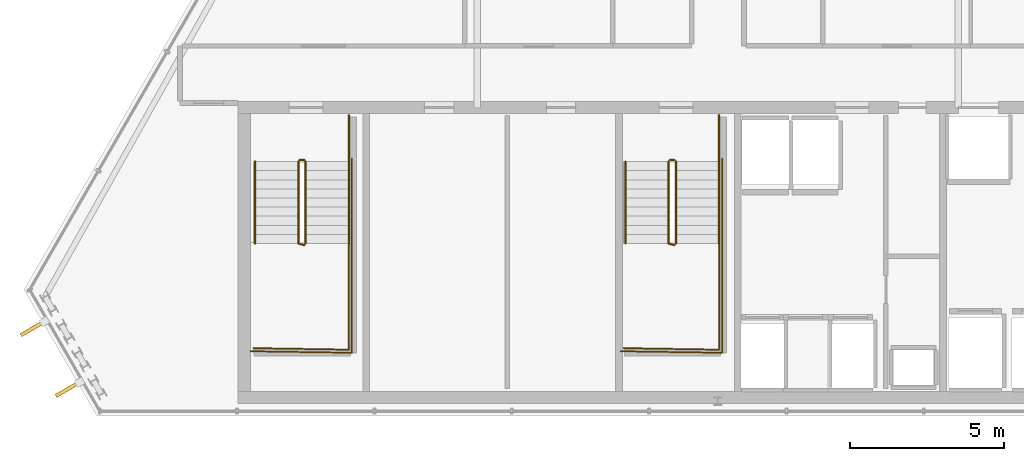
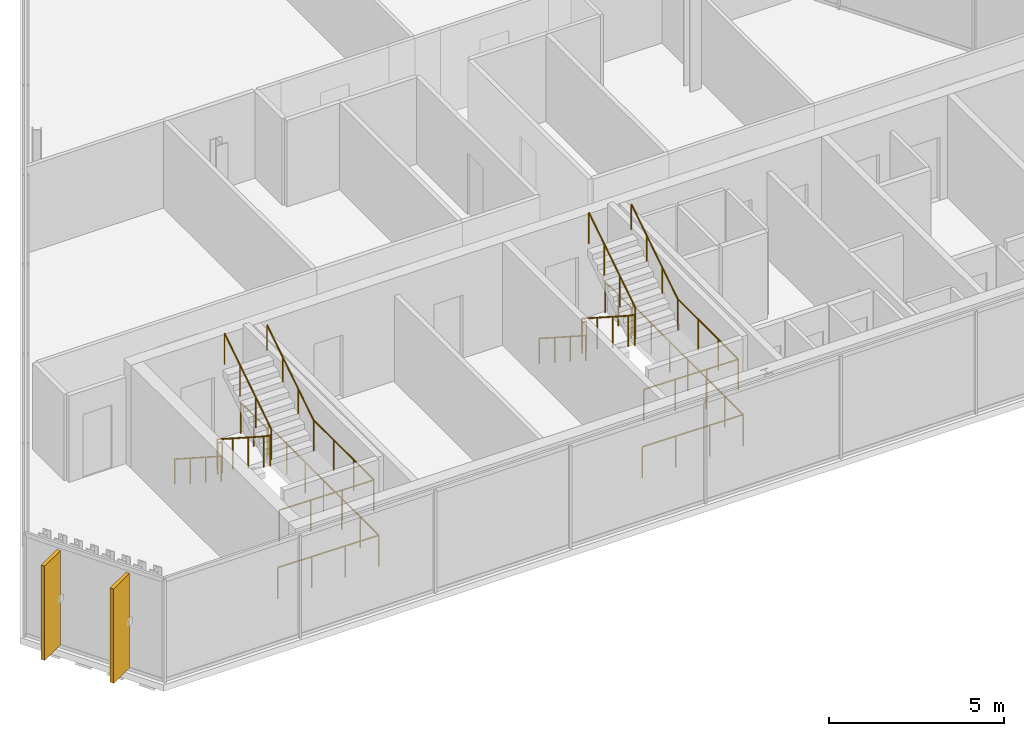
# One storey, part 30 of 32: 16 railings, 2 shading devices.
"""IFC4 building model written with IfcOpenShell, lengths in metres."""

from ifc_helpers import new_model, si_unit, direction, frame, origin, origin_2d, place, context, subcontext, project, spatial, rectangle, circle, extrude, material, layer, layer_set, type_object, element, save


model = new_model("IFC4")

# Units and contexts
model_context = context("Model", 3, precision=1e-05, world=origin(), true_north=direction((0.0, 1.0)))
body_context = subcontext(model_context, "Body", "Model", "MODEL_VIEW")
ifc_project = project(units=[si_unit("LENGTHUNIT", "METRE"), si_unit("AREAUNIT", "SQUARE_METRE"), si_unit("VOLUMEUNIT", "CUBIC_METRE"), si_unit("PLANEANGLEUNIT", "RADIAN"), si_unit("MASSUNIT", "GRAM", prefix="KILO")], contexts=[model_context])

# Site, building, storey
site_placement = place(None, origin())
site = spatial("IfcSite", under=ifc_project, at=site_placement, CompositionType="ELEMENT")
building_placement = place(site_placement, origin())
building = spatial("IfcBuilding", under=site, at=building_placement, Name="Ndaravel Arena Tower", CompositionType="ELEMENT")
storey_placement = place(building_placement, frame((0.0, 0.0, 287.10009765625)))
storey = spatial("IfcBuildingStorey", under=building, at=storey_placement, Name="L70", CompositionType="ELEMENT", Elevation=287.10009765625)

# Railings
ifc_material_1 = material(Name="Steel S355", Category="steel")
ifc_layer_1 = layer(ifc_material_1, 0.06005859375)
ifc_layer_set_1 = layer_set([ifc_layer_1], Name="Steel S355")
railing_type_1 = type_object("IfcRailingType", Name="RAIL-STAIR-GD1100", PredefinedType="GUARDRAIL", material=ifc_layer_set_1)
railing_1_placement = place(storey_placement, frame((28.39990234375, 13.25, 0.18994140625)))
element("IfcRailing", 1, at=railing_1_placement, inside=storey, type_object=railing_type_1, Name="L70 ST-1 stair guard 1", PredefinedType="GUARDRAIL", context=body_context, shape_type="SweptSolid", body=[
    extrude(circle(Radius=0.02392578125, at=origin_2d()), frame((0.0, 0.0, 1.076171875), z_axis=(0.0, -0.840723540582, 0.54146461409), x_axis=(1.0, 0.0, 0.0)), (0.0, 0.0, 1.0), 3.157958984375),
    extrude(circle(Radius=0.02392578125, at=origin_2d()), frame((0.0, -2.655029296875, 2.7861328125), z_axis=(0.967074537263, -0.25449329928, 0.0), x_axis=(0.25449329928, 0.967074537263, 0.0)), (0.0, 0.0, 1.0), 0.19677734375),
    extrude(circle(Radius=0.02099609375, at=origin_2d()), origin(), (0.0, 0.0, 1.0), 1.052001953125),
    extrude(circle(Radius=0.02099609375, at=origin_2d()), frame((0.0, -0.885009765625, 0.570068359375)), (0.0, 0.0, 1.0), 1.052001953125),
    extrude(circle(Radius=0.02099609375, at=origin_2d()), frame((0.0, -1.77001953125, 1.139892578125)), (0.0, 0.0, 1.0), 1.052001953125),
    extrude(circle(Radius=0.02099609375, at=origin_2d()), frame((0.0, -2.655029296875, 1.7099609375)), (0.0, 0.0, 1.0), 1.052001953125),
    extrude(circle(Radius=0.02099609375, at=origin_2d()), frame((0.190185546875, -2.705078125, 1.7099609375)), (0.0, 0.0, 1.0), 1.052001953125),
])
railing_2_placement = place(storey_placement, frame((30.0400390625, 10.594970703125, 1.89990234375)))
element("IfcRailing", 2, at=railing_2_placement, inside=storey, type_object=railing_type_1, Name="L70 ST-1 stair guard 2", PredefinedType="GUARDRAIL", context=body_context, shape_type="SweptSolid", body=[
    extrude(circle(Radius=0.02392578125, at=origin_2d()), frame((0.0, 0.0, 1.076171875), z_axis=(0.0, -1.0, 0.0), x_axis=(1.0, 0.0, 0.0)), (0.0, 0.0, 1.0), 3.445068359375),
    extrude(circle(Radius=0.02392578125, at=origin_2d()), frame((0.0, -3.445068359375, 1.076171875), z_axis=(-0.999868861343, 0.016194447071, 0.0), x_axis=(-0.016194447071, -0.999868861343, 0.0)), (0.0, 0.0, 1.0), 3.090576171875),
    extrude(circle(Radius=0.02099609375, at=origin_2d()), origin(), (0.0, 0.0, 1.0), 1.052001953125),
    extrude(circle(Radius=0.02099609375, at=origin_2d()), frame((0.0, -1.1484375, 0.0)), (0.0, 0.0, 1.0), 1.052001953125),
    extrude(circle(Radius=0.02099609375, at=origin_2d()), frame((0.0, -2.296630859375, 0.0)), (0.0, 0.0, 1.0), 1.052001953125),
    extrude(circle(Radius=0.02099609375, at=origin_2d()), frame((0.0, -3.445068359375, 0.0)), (0.0, 0.0, 1.0), 1.052001953125),
    extrude(circle(Radius=0.02099609375, at=origin_2d()), frame((-1.030029296875, -3.428466796875, 0.0)), (0.0, 0.0, 1.0), 1.052001953125),
    extrude(circle(Radius=0.02099609375, at=origin_2d()), frame((-2.06005859375, -3.41162109375, 0.0)), (0.0, 0.0, 1.0), 1.052001953125),
    extrude(circle(Radius=0.02099609375, at=origin_2d()), frame((-3.090087890625, -3.39501953125, 0.0)), (0.0, 0.0, 1.0), 1.052001953125),
])
railing_3_placement = place(storey_placement, frame((28.639892578125, 10.594970703125, 2.08984375)))
element("IfcRailing", 3, at=railing_3_placement, inside=storey, type_object=railing_type_1, Name="L70 ST-1 stair guard 3", PredefinedType="GUARDRAIL", context=body_context, shape_type="SweptSolid", body=[
    extrude(circle(Radius=0.02392578125, at=origin_2d()), frame((0.0, 0.0, 1.076171875), z_axis=(0.0, 0.840723540582, 0.54146461409), x_axis=(-1.0, 0.0, 0.0)), (0.0, 0.0, 1.0), 3.157958984375),
    extrude(circle(Radius=0.02099609375, at=origin_2d()), origin(), (0.0, 0.0, 1.0), 1.052001953125),
    extrude(circle(Radius=0.02099609375, at=origin_2d()), frame((0.0, 0.885009765625, 0.570068359375)), (0.0, 0.0, 1.0), 1.052001953125),
    extrude(circle(Radius=0.02099609375, at=origin_2d()), frame((0.0, 1.77001953125, 1.139892578125)), (0.0, 0.0, 1.0), 1.052001953125),
    extrude(circle(Radius=0.02099609375, at=origin_2d()), frame((0.0, 2.655029296875, 1.7099609375)), (0.0, 0.0, 1.0), 1.052001953125),
])
railing_4_placement = place(storey_placement, frame((28.449951171875, 13.300048828125, 0.0)))
element("IfcRailing", 4, at=railing_4_placement, inside=storey, type_object=railing_type_1, Name="L70 ST-1 stair guard 4", PredefinedType="GUARDRAIL", context=body_context, shape_type="SweptSolid", body=[
    extrude(circle(Radius=0.02392578125, at=origin_2d()), frame((0.0, 0.0, 1.076171875), z_axis=(1.0, 0.0, 0.0), x_axis=(0.0, 1.0, 0.0)), (0.0, 0.0, 1.0), 0.14013671875),
    extrude(circle(Radius=0.02099609375, at=origin_2d()), origin(), (0.0, 0.0, 1.0), 1.052001953125),
    extrude(circle(Radius=0.02099609375, at=origin_2d()), frame((0.14013671875, 0.0, 0.0)), (0.0, 0.0, 1.0), 1.052001953125),
])
railing_5_placement = place(storey_placement, frame((30.0400390625, 14.75, 0.0)))
element("IfcRailing", 5, at=railing_5_placement, inside=storey, type_object=railing_type_1, Name="L70 ST-1 stair guard 5", PredefinedType="GUARDRAIL", context=body_context, shape_type="SweptSolid", body=[
    extrude(circle(Radius=0.02392578125, at=origin_2d()), frame((0.0, 0.0, 1.076171875), z_axis=(0.0, -1.0, 0.0), x_axis=(1.0, 0.0, 0.0)), (0.0, 0.0, 1.0), 1.5),
    extrude(circle(Radius=0.02099609375, at=origin_2d()), origin(), (0.0, 0.0, 1.0), 1.052001953125),
    extrude(circle(Radius=0.02099609375, at=origin_2d()), frame((0.0, -0.75, 0.0)), (0.0, 0.0, 1.0), 1.052001953125),
    extrude(circle(Radius=0.02099609375, at=origin_2d()), frame((0.0, -1.5, 0.0)), (0.0, 0.0, 1.0), 1.052001953125),
])
railing_6_placement = place(storey_placement, frame((30.139892578125, 13.35009765625, 0.0)))
element("IfcRailing", 6, at=railing_6_placement, inside=storey, type_object=railing_type_1, Name="L70 ST-1 stair guard 6", PredefinedType="GUARDRAIL", context=body_context, shape_type="SweptSolid", body=[
    extrude(circle(Radius=0.02392578125, at=origin_2d()), frame((0.0, 0.0, 1.076171875), z_axis=(0.0, -1.0, 0.0), x_axis=(1.0, 0.0, 0.0)), (0.0, 0.0, 1.0), 6.300048828125),
    extrude(circle(Radius=0.02392578125, at=origin_2d()), frame((0.0, -6.300048828125, 1.076171875), z_axis=(-0.999884296952, 0.015211597839, 0.0), x_axis=(-0.015211597839, -0.999884296952, 0.0)), (0.0, 0.0, 1.0), 3.290283203125),
    extrude(circle(Radius=0.02099609375, at=origin_2d()), origin(), (0.0, 0.0, 1.0), 1.052001953125),
    extrude(circle(Radius=0.02099609375, at=origin_2d()), frame((0.0, -1.050048828125, 0.0)), (0.0, 0.0, 1.0), 1.052001953125),
    extrude(circle(Radius=0.02099609375, at=origin_2d()), frame((0.0, -2.10009765625, 0.0)), (0.0, 0.0, 1.0), 1.052001953125),
    extrude(circle(Radius=0.02099609375, at=origin_2d()), frame((0.0, -3.14990234375, 0.0)), (0.0, 0.0, 1.0), 1.052001953125),
    extrude(circle(Radius=0.02099609375, at=origin_2d()), frame((0.0, -4.199951171875, 0.0)), (0.0, 0.0, 1.0), 1.052001953125),
    extrude(circle(Radius=0.02099609375, at=origin_2d()), frame((0.0, -5.25, 0.0)), (0.0, 0.0, 1.0), 1.052001953125),
    extrude(circle(Radius=0.02099609375, at=origin_2d()), frame((0.0, -6.300048828125, 0.0)), (0.0, 0.0, 1.0), 1.052001953125),
    extrude(circle(Radius=0.02099609375, at=origin_2d()), frame((-1.0966796875, -6.283447265625, 0.0)), (0.0, 0.0, 1.0), 1.052001953125),
    extrude(circle(Radius=0.02099609375, at=origin_2d()), frame((-2.193115234375, -6.2666015625, 0.0)), (0.0, 0.0, 1.0), 1.052001953125),
    extrude(circle(Radius=0.02099609375, at=origin_2d()), frame((-3.289794921875, -6.25, 0.0)), (0.0, 0.0, 1.0), 1.052001953125),
])
railing_7_placement = place(storey_placement, frame((40.39990234375, 13.25, 0.18994140625)))
element("IfcRailing", 7, at=railing_7_placement, inside=storey, type_object=railing_type_1, Name="L70 ST-2 stair guard 1", PredefinedType="GUARDRAIL", context=body_context, shape_type="SweptSolid", body=[
    extrude(circle(Radius=0.02392578125, at=origin_2d()), frame((0.0, 0.0, 1.076171875), z_axis=(0.0, -0.840723540582, 0.54146461409), x_axis=(1.0, 0.0, 0.0)), (0.0, 0.0, 1.0), 3.157958984375),
    extrude(circle(Radius=0.02392578125, at=origin_2d()), frame((0.0, -2.655029296875, 2.7861328125), z_axis=(0.967074537263, -0.25449329928, 0.0), x_axis=(0.25449329928, 0.967074537263, 0.0)), (0.0, 0.0, 1.0), 0.19677734375),
    extrude(circle(Radius=0.02099609375, at=origin_2d()), origin(), (0.0, 0.0, 1.0), 1.052001953125),
    extrude(circle(Radius=0.02099609375, at=origin_2d()), frame((0.0, -0.885009765625, 0.570068359375)), (0.0, 0.0, 1.0), 1.052001953125),
    extrude(circle(Radius=0.02099609375, at=origin_2d()), frame((0.0, -1.77001953125, 1.139892578125)), (0.0, 0.0, 1.0), 1.052001953125),
    extrude(circle(Radius=0.02099609375, at=origin_2d()), frame((0.0, -2.655029296875, 1.7099609375)), (0.0, 0.0, 1.0), 1.052001953125),
    extrude(circle(Radius=0.02099609375, at=origin_2d()), frame((0.190185546875, -2.705078125, 1.7099609375)), (0.0, 0.0, 1.0), 1.052001953125),
])
railing_8_placement = place(storey_placement, frame((42.0400390625, 10.594970703125, 1.89990234375)))
element("IfcRailing", 8, at=railing_8_placement, inside=storey, type_object=railing_type_1, Name="L70 ST-2 stair guard 2", PredefinedType="GUARDRAIL", context=body_context, shape_type="SweptSolid", body=[
    extrude(circle(Radius=0.02392578125, at=origin_2d()), frame((0.0, 0.0, 1.076171875), z_axis=(0.0, -1.0, 0.0), x_axis=(1.0, 0.0, 0.0)), (0.0, 0.0, 1.0), 3.445068359375),
    extrude(circle(Radius=0.02392578125, at=origin_2d()), frame((0.0, -3.445068359375, 1.076171875), z_axis=(-0.999868861343, 0.016194447071, 0.0), x_axis=(-0.016194447071, -0.999868861343, 0.0)), (0.0, 0.0, 1.0), 3.090576171875),
    extrude(circle(Radius=0.02099609375, at=origin_2d()), origin(), (0.0, 0.0, 1.0), 1.052001953125),
    extrude(circle(Radius=0.02099609375, at=origin_2d()), frame((0.0, -1.1484375, 0.0)), (0.0, 0.0, 1.0), 1.052001953125),
    extrude(circle(Radius=0.02099609375, at=origin_2d()), frame((0.0, -2.296630859375, 0.0)), (0.0, 0.0, 1.0), 1.052001953125),
    extrude(circle(Radius=0.02099609375, at=origin_2d()), frame((0.0, -3.445068359375, 0.0)), (0.0, 0.0, 1.0), 1.052001953125),
    extrude(circle(Radius=0.02099609375, at=origin_2d()), frame((-1.030029296875, -3.428466796875, 0.0)), (0.0, 0.0, 1.0), 1.052001953125),
    extrude(circle(Radius=0.02099609375, at=origin_2d()), frame((-2.06005859375, -3.41162109375, 0.0)), (0.0, 0.0, 1.0), 1.052001953125),
    extrude(circle(Radius=0.02099609375, at=origin_2d()), frame((-3.090087890625, -3.39501953125, 0.0)), (0.0, 0.0, 1.0), 1.052001953125),
])
railing_9_placement = place(storey_placement, frame((40.639892578125, 10.594970703125, 2.08984375)))
element("IfcRailing", 9, at=railing_9_placement, inside=storey, type_object=railing_type_1, Name="L70 ST-2 stair guard 3", PredefinedType="GUARDRAIL", context=body_context, shape_type="SweptSolid", body=[
    extrude(circle(Radius=0.02392578125, at=origin_2d()), frame((0.0, 0.0, 1.076171875), z_axis=(0.0, 0.840723540582, 0.54146461409), x_axis=(-1.0, 0.0, 0.0)), (0.0, 0.0, 1.0), 3.157958984375),
    extrude(circle(Radius=0.02099609375, at=origin_2d()), origin(), (0.0, 0.0, 1.0), 1.052001953125),
    extrude(circle(Radius=0.02099609375, at=origin_2d()), frame((0.0, 0.885009765625, 0.570068359375)), (0.0, 0.0, 1.0), 1.052001953125),
    extrude(circle(Radius=0.02099609375, at=origin_2d()), frame((0.0, 1.77001953125, 1.139892578125)), (0.0, 0.0, 1.0), 1.052001953125),
    extrude(circle(Radius=0.02099609375, at=origin_2d()), frame((0.0, 2.655029296875, 1.7099609375)), (0.0, 0.0, 1.0), 1.052001953125),
])
railing_10_placement = place(storey_placement, frame((40.449951171875, 13.300048828125, 0.0)))
element("IfcRailing", 10, at=railing_10_placement, inside=storey, type_object=railing_type_1, Name="L70 ST-2 stair guard 4", PredefinedType="GUARDRAIL", context=body_context, shape_type="SweptSolid", body=[
    extrude(circle(Radius=0.02392578125, at=origin_2d()), frame((0.0, 0.0, 1.076171875), z_axis=(1.0, 0.0, 0.0), x_axis=(0.0, 1.0, 0.0)), (0.0, 0.0, 1.0), 0.14013671875),
    extrude(circle(Radius=0.02099609375, at=origin_2d()), origin(), (0.0, 0.0, 1.0), 1.052001953125),
    extrude(circle(Radius=0.02099609375, at=origin_2d()), frame((0.14013671875, 0.0, 0.0)), (0.0, 0.0, 1.0), 1.052001953125),
])
railing_11_placement = place(storey_placement, frame((42.0400390625, 14.75, 0.0)))
element("IfcRailing", 11, at=railing_11_placement, inside=storey, type_object=railing_type_1, Name="L70 ST-2 stair guard 5", PredefinedType="GUARDRAIL", context=body_context, shape_type="SweptSolid", body=[
    extrude(circle(Radius=0.02392578125, at=origin_2d()), frame((0.0, 0.0, 1.076171875), z_axis=(0.0, -1.0, 0.0), x_axis=(1.0, 0.0, 0.0)), (0.0, 0.0, 1.0), 1.5),
    extrude(circle(Radius=0.02099609375, at=origin_2d()), origin(), (0.0, 0.0, 1.0), 1.052001953125),
    extrude(circle(Radius=0.02099609375, at=origin_2d()), frame((0.0, -0.75, 0.0)), (0.0, 0.0, 1.0), 1.052001953125),
    extrude(circle(Radius=0.02099609375, at=origin_2d()), frame((0.0, -1.5, 0.0)), (0.0, 0.0, 1.0), 1.052001953125),
])
railing_12_placement = place(storey_placement, frame((42.139892578125, 13.35009765625, 0.0)))
element("IfcRailing", 12, at=railing_12_placement, inside=storey, type_object=railing_type_1, Name="L70 ST-2 stair guard 6", PredefinedType="GUARDRAIL", context=body_context, shape_type="SweptSolid", body=[
    extrude(circle(Radius=0.02392578125, at=origin_2d()), frame((0.0, 0.0, 1.076171875), z_axis=(0.0, -1.0, 0.0), x_axis=(1.0, 0.0, 0.0)), (0.0, 0.0, 1.0), 6.300048828125),
    extrude(circle(Radius=0.02392578125, at=origin_2d()), frame((0.0, -6.300048828125, 1.076171875), z_axis=(-0.999884296952, 0.015211597839, 0.0), x_axis=(-0.015211597839, -0.999884296952, 0.0)), (0.0, 0.0, 1.0), 3.290283203125),
    extrude(circle(Radius=0.02099609375, at=origin_2d()), origin(), (0.0, 0.0, 1.0), 1.052001953125),
    extrude(circle(Radius=0.02099609375, at=origin_2d()), frame((0.0, -1.050048828125, 0.0)), (0.0, 0.0, 1.0), 1.052001953125),
    extrude(circle(Radius=0.02099609375, at=origin_2d()), frame((0.0, -2.10009765625, 0.0)), (0.0, 0.0, 1.0), 1.052001953125),
    extrude(circle(Radius=0.02099609375, at=origin_2d()), frame((0.0, -3.14990234375, 0.0)), (0.0, 0.0, 1.0), 1.052001953125),
    extrude(circle(Radius=0.02099609375, at=origin_2d()), frame((0.0, -4.199951171875, 0.0)), (0.0, 0.0, 1.0), 1.052001953125),
    extrude(circle(Radius=0.02099609375, at=origin_2d()), frame((0.0, -5.25, 0.0)), (0.0, 0.0, 1.0), 1.052001953125),
    extrude(circle(Radius=0.02099609375, at=origin_2d()), frame((0.0, -6.300048828125, 0.0)), (0.0, 0.0, 1.0), 1.052001953125),
    extrude(circle(Radius=0.02099609375, at=origin_2d()), frame((-1.0966796875, -6.283447265625, 0.0)), (0.0, 0.0, 1.0), 1.052001953125),
    extrude(circle(Radius=0.02099609375, at=origin_2d()), frame((-2.193115234375, -6.2666015625, 0.0)), (0.0, 0.0, 1.0), 1.052001953125),
    extrude(circle(Radius=0.02099609375, at=origin_2d()), frame((-3.289794921875, -6.25, 0.0)), (0.0, 0.0, 1.0), 1.052001953125),
])
ifc_material_2 = material(Name="Steel S355", Category="steel")
ifc_layer_2 = layer(ifc_material_2, 0.050048828125)
ifc_layer_set_2 = layer_set([ifc_layer_2], Name="Steel S355")
railing_type_2 = type_object("IfcRailingType", Name="RAIL-STAIR-HR920", PredefinedType="HANDRAIL", material=ifc_layer_set_2)
railing_13_placement = place(storey_placement, frame((27.0, 13.25, 0.18994140625)))
element("IfcRailing", 13, at=railing_13_placement, inside=storey, type_object=railing_type_2, Name="L70 ST-1 stair handrail 1", PredefinedType="HANDRAIL", context=body_context, shape_type="SweptSolid", body=[
    extrude(circle(Radius=0.02392578125, at=origin_2d()), frame((0.0, 0.0, 0.8759765625), z_axis=(0.0, -0.840723540582, 0.54146461409), x_axis=(1.0, 0.0, 0.0)), (0.0, 0.0, 1.0), 3.157958984375),
    extrude(circle(Radius=0.02099609375, at=origin_2d()), origin(), (0.0, 0.0, 1.0), 0.851806640625),
    extrude(circle(Radius=0.02099609375, at=origin_2d()), frame((0.0, -0.885009765625, 0.570068359375)), (0.0, 0.0, 1.0), 0.851806640625),
    extrude(circle(Radius=0.02099609375, at=origin_2d()), frame((0.0, -1.77001953125, 1.139892578125)), (0.0, 0.0, 1.0), 0.851806640625),
    extrude(circle(Radius=0.02099609375, at=origin_2d()), frame((0.0, -2.655029296875, 1.7099609375)), (0.0, 0.0, 1.0), 0.851806640625),
])
railing_14_placement = place(storey_placement, frame((30.0400390625, 10.594970703125, 2.08984375)))
element("IfcRailing", 14, at=railing_14_placement, inside=storey, type_object=railing_type_2, Name="L70 ST-1 stair handrail 2", PredefinedType="HANDRAIL", context=body_context, shape_type="SweptSolid", body=[
    extrude(circle(Radius=0.02392578125, at=origin_2d()), frame((0.0, 0.0, 0.8759765625), z_axis=(0.0, 0.840723540582, 0.54146461409), x_axis=(-1.0, 0.0, 0.0)), (0.0, 0.0, 1.0), 3.157958984375),
    extrude(circle(Radius=0.02099609375, at=origin_2d()), origin(), (0.0, 0.0, 1.0), 0.851806640625),
    extrude(circle(Radius=0.02099609375, at=origin_2d()), frame((0.0, 0.885009765625, 0.570068359375)), (0.0, 0.0, 1.0), 0.851806640625),
    extrude(circle(Radius=0.02099609375, at=origin_2d()), frame((0.0, 1.77001953125, 1.139892578125)), (0.0, 0.0, 1.0), 0.851806640625),
    extrude(circle(Radius=0.02099609375, at=origin_2d()), frame((0.0, 2.655029296875, 1.7099609375)), (0.0, 0.0, 1.0), 0.851806640625),
])
railing_15_placement = place(storey_placement, frame((39.0, 13.25, 0.18994140625)))
element("IfcRailing", 15, at=railing_15_placement, inside=storey, type_object=railing_type_2, Name="L70 ST-2 stair handrail 1", PredefinedType="HANDRAIL", context=body_context, shape_type="SweptSolid", body=[
    extrude(circle(Radius=0.02392578125, at=origin_2d()), frame((0.0, 0.0, 0.8759765625), z_axis=(0.0, -0.840723540582, 0.54146461409), x_axis=(1.0, 0.0, 0.0)), (0.0, 0.0, 1.0), 3.157958984375),
    extrude(circle(Radius=0.02099609375, at=origin_2d()), origin(), (0.0, 0.0, 1.0), 0.851806640625),
    extrude(circle(Radius=0.02099609375, at=origin_2d()), frame((0.0, -0.885009765625, 0.570068359375)), (0.0, 0.0, 1.0), 0.851806640625),
    extrude(circle(Radius=0.02099609375, at=origin_2d()), frame((0.0, -1.77001953125, 1.139892578125)), (0.0, 0.0, 1.0), 0.851806640625),
    extrude(circle(Radius=0.02099609375, at=origin_2d()), frame((0.0, -2.655029296875, 1.7099609375)), (0.0, 0.0, 1.0), 0.851806640625),
])
railing_16_placement = place(storey_placement, frame((42.0400390625, 10.594970703125, 2.08984375)))
element("IfcRailing", 16, at=railing_16_placement, inside=storey, type_object=railing_type_2, Name="L70 ST-2 stair handrail 2", PredefinedType="HANDRAIL", context=body_context, shape_type="SweptSolid", body=[
    extrude(circle(Radius=0.02392578125, at=origin_2d()), frame((0.0, 0.0, 0.8759765625), z_axis=(0.0, 0.840723540582, 0.54146461409), x_axis=(-1.0, 0.0, 0.0)), (0.0, 0.0, 1.0), 3.157958984375),
    extrude(circle(Radius=0.02099609375, at=origin_2d()), origin(), (0.0, 0.0, 1.0), 0.851806640625),
    extrude(circle(Radius=0.02099609375, at=origin_2d()), frame((0.0, 0.885009765625, 0.570068359375)), (0.0, 0.0, 1.0), 0.851806640625),
    extrude(circle(Radius=0.02099609375, at=origin_2d()), frame((0.0, 1.77001953125, 1.139892578125)), (0.0, 0.0, 1.0), 0.851806640625),
    extrude(circle(Radius=0.02099609375, at=origin_2d()), frame((0.0, 2.655029296875, 1.7099609375)), (0.0, 0.0, 1.0), 0.851806640625),
])

# Shading devices
ifc_material_3 = material(Name="Masonry", Category="masonry")
shading_device_type = type_object("IfcShadingDeviceType", Name="SHD-MAZERAS-FIN", PredefinedType="SHUTTER", material=ifc_material_3)
for number, where, z_axis, x_axis, name in (
    (17, (19.798095703125, 7.844970703125, 0.14990234375), (0.0, 0.0, 1.0), (-0.866025403784, -0.5, 0.0), "L70 Mazeras Stone Solar Fin E6.1"),
    (18, (20.934326171875, 5.876953125, 0.14990234375), (0.0, 0.0, 1.0), (-0.866025403784, -0.5, 0.0), "L70 Mazeras Stone Solar Fin E6.2"),
):
    element("IfcShadingDevice", number, at=place(storey_placement, frame(where, z_axis=z_axis, x_axis=x_axis)), inside=storey, type_object=shading_device_type, Name=name, PredefinedType="SHUTTER", context=body_context, shape_type="SweptSolid", body=[
        extrude(rectangle(XDim=0.89990234375, YDim=0.1201171875, at=origin_2d()), origin(), (0.0, 0.0, 1.0), 3.280029296875),
    ])

save(model, "model.ifc")
